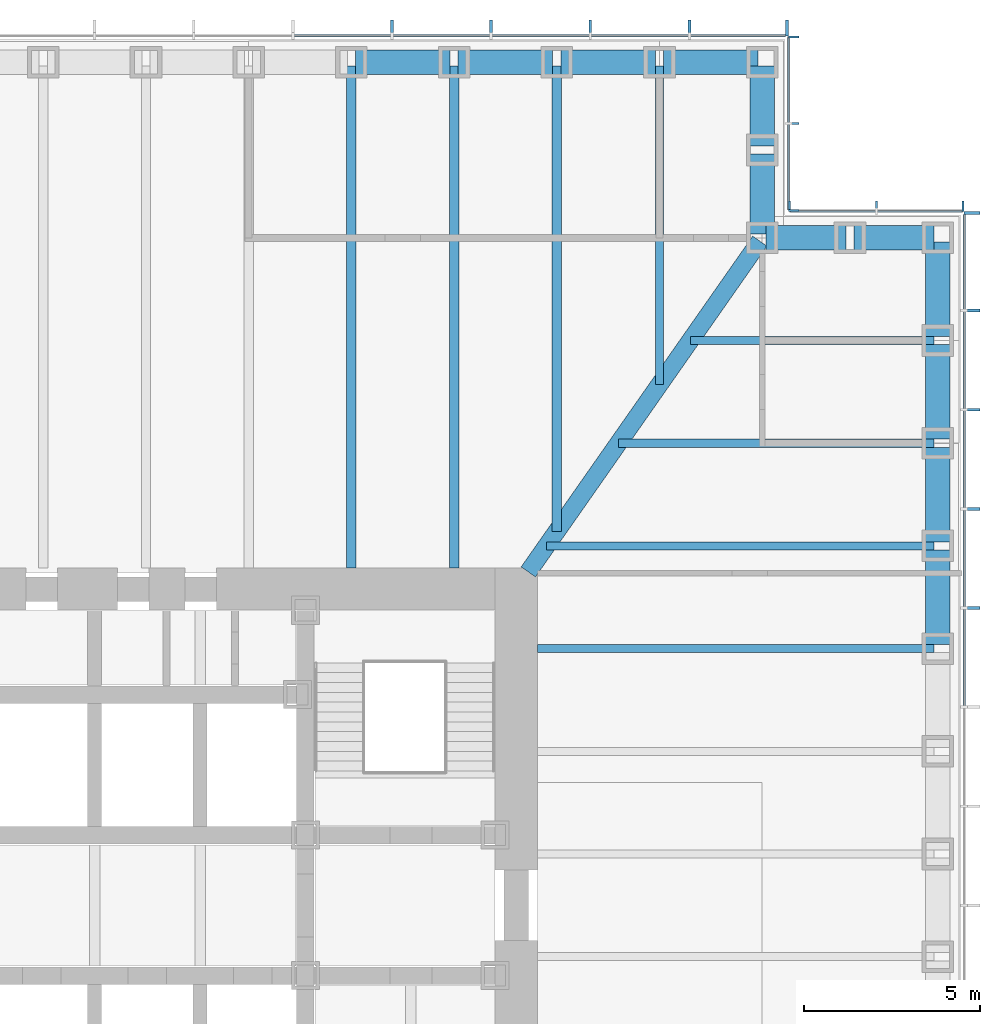
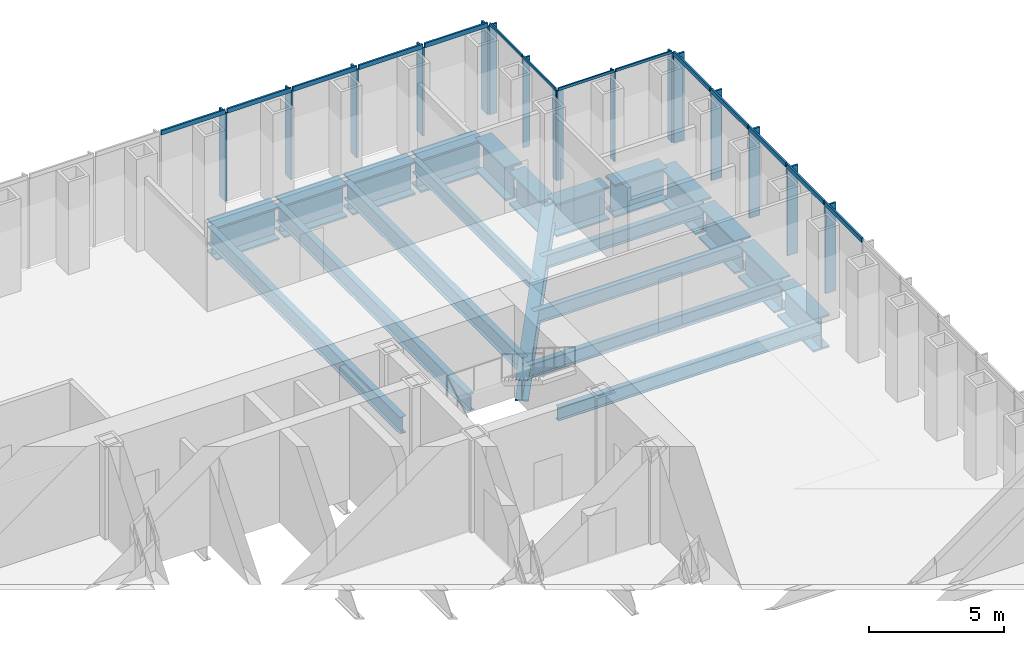
# One storey, part 6 of 17: 30 members, 21 beams, 4 elements without a shape of their own.
"""IFC4 building model written with IfcOpenShell, lengths in metres."""

from ifc_helpers import new_model, si_unit, direction, frame, origin, origin_2d, place, context, subcontext, project, spatial, rectangle, i_section, extrude, material, material_profile, profile_set, type_object, element, aggregate, save


model = new_model("IFC4")

# Units and contexts
model_context = context("Model", 3, precision=1e-05, world=origin(), true_north=direction((0.0, 1.0)))
body_context = subcontext(model_context, "Body", "Model", "MODEL_VIEW")
ifc_project = project(units=[si_unit("LENGTHUNIT", "METRE"), si_unit("AREAUNIT", "SQUARE_METRE"), si_unit("VOLUMEUNIT", "CUBIC_METRE"), si_unit("PLANEANGLEUNIT", "RADIAN"), si_unit("MASSUNIT", "GRAM", prefix="KILO")], contexts=[model_context])

# Site, building, storey
site_placement = place(None, origin())
site = spatial("IfcSite", under=ifc_project, at=site_placement, CompositionType="ELEMENT")
building_placement = place(site_placement, origin())
building = spatial("IfcBuilding", under=site, at=building_placement, Name="Daluyong Arena Tower", CompositionType="ELEMENT")
storey_placement = place(building_placement, frame((0.0, 0.0, 81.10009765625)))
storey = spatial("IfcBuildingStorey", under=building, at=storey_placement, Name="L17", CompositionType="ELEMENT", Elevation=81.10009765625)

# Curtain wall, members
ifc_material_1 = material(Name="Bronze anodised aluminium and glass", Category="aluminium")
curtain_wall_type_1 = type_object("IfcCurtainWallType", Name="Curtain wall CW1", PredefinedType="USERDEFINED", material=ifc_material_1)
curtain_wall_1_placement = place(storey_placement, origin())
curtain_wall_1 = element("IfcCurtainWall", 1, at=curtain_wall_1_placement, inside=storey, type_object=curtain_wall_type_1, Name="curtain wall L17 E", ObjectType="UNITISED CURTAIN WALL", PredefinedType="USERDEFINED")
ifc_material_2 = material(Name="Bronze anodised aluminium fin", Category="aluminium")
ifc_material_profile_1 = material_profile(ifc_material_2, rectangle(XDim=0.449951171875, YDim=0.080078125, at=origin_2d()))
ifc_profile_set_1 = profile_set([ifc_material_profile_1], Name="Bronze anodised aluminium fin")
member_type_1 = type_object("IfcMemberType", Name="CW1 bronze fin 450x80", PredefinedType="MULLION", material=ifc_profile_set_1)
member_1_placement = place(storey_placement, frame((80.97509765625, 88.46435546875, 0.0), z_axis=(0.0, 0.0, 1.0), x_axis=(-1.0, 0.0, 0.0)))
member_1 = element("IfcMember", 2, at=member_1_placement, type_object=member_type_1, Name="curtain wall L17 E fin 11", PredefinedType="MULLION", context=body_context, shape_type="SweptSolid", body=[
    extrude(rectangle(XDim=0.449951171875, YDim=0.080078125, at=origin_2d()), origin(), (0.0, 0.0, 1.0), 4.0),
])
member_2_placement = place(storey_placement, frame((80.97509765625, 91.28564453125, 0.0), z_axis=(0.0, 0.0, 1.0), x_axis=(-1.0, 0.0, 0.0)))
member_2 = element("IfcMember", 3, at=member_2_placement, type_object=member_type_1, Name="curtain wall L17 E fin 12", PredefinedType="MULLION", context=body_context, shape_type="SweptSolid", body=[
    extrude(rectangle(XDim=0.449951171875, YDim=0.080078125, at=origin_2d()), origin(), (0.0, 0.0, 1.0), 4.0),
])
member_3_placement = place(storey_placement, frame((80.97509765625, 94.107177734375, 0.0), z_axis=(0.0, 0.0, 1.0), x_axis=(-1.0, 0.0, 0.0)))
member_3 = element("IfcMember", 4, at=member_3_placement, type_object=member_type_1, Name="curtain wall L17 E fin 13", PredefinedType="MULLION", context=body_context, shape_type="SweptSolid", body=[
    extrude(rectangle(XDim=0.449951171875, YDim=0.080078125, at=origin_2d()), origin(), (0.0, 0.0, 1.0), 4.0),
])
member_4_placement = place(storey_placement, frame((80.97509765625, 96.928466796875, 0.0), z_axis=(0.0, 0.0, 1.0), x_axis=(-1.0, 0.0, 0.0)))
member_4 = element("IfcMember", 5, at=member_4_placement, type_object=member_type_1, Name="curtain wall L17 E fin 14", PredefinedType="MULLION", context=body_context, shape_type="SweptSolid", body=[
    extrude(rectangle(XDim=0.449951171875, YDim=0.080078125, at=origin_2d()), origin(), (0.0, 0.0, 1.0), 4.0),
])
member_5_placement = place(storey_placement, frame((80.97509765625, 99.7099609375, 0.0), z_axis=(0.0, 0.0, 1.0), x_axis=(-1.0, 0.0, 0.0)))
member_5 = element("IfcMember", 6, at=member_5_placement, type_object=member_type_1, Name="curtain wall L17 E fin 15", PredefinedType="MULLION", context=body_context, shape_type="SweptSolid", body=[
    extrude(rectangle(XDim=0.449951171875, YDim=0.080078125, at=origin_2d()), origin(), (0.0, 0.0, 1.0), 4.0),
])

curtain_wall_2_placement = place(storey_placement, origin())
curtain_wall_2 = element("IfcCurtainWall", 7, at=curtain_wall_2_placement, inside=storey, type_object=curtain_wall_type_1, Name="curtain wall L17 N", ObjectType="UNITISED CURTAIN WALL", PredefinedType="USERDEFINED")
member_6_placement = place(storey_placement, frame((75.7099609375, 104.97509765625, 0.0), z_axis=(0.0, 0.0, 1.0), x_axis=(0.0, -1.0, 0.0)))
member_6 = element("IfcMember", 8, at=member_6_placement, type_object=member_type_1, Name="curtain wall L17 N fin 1", PredefinedType="MULLION", context=body_context, shape_type="SweptSolid", body=[
    extrude(rectangle(XDim=0.449951171875, YDim=0.080078125, at=origin_2d()), origin(), (0.0, 0.0, 1.0), 4.0),
])
member_7_placement = place(storey_placement, frame((72.928466796875, 104.97509765625, 0.0), z_axis=(0.0, 0.0, 1.0), x_axis=(0.0, -1.0, 0.0)))
member_7 = element("IfcMember", 9, at=member_7_placement, type_object=member_type_1, Name="curtain wall L17 N fin 2", PredefinedType="MULLION", context=body_context, shape_type="SweptSolid", body=[
    extrude(rectangle(XDim=0.449951171875, YDim=0.080078125, at=origin_2d()), origin(), (0.0, 0.0, 1.0), 4.0),
])
member_8_placement = place(storey_placement, frame((70.107177734375, 104.97509765625, 0.0), z_axis=(0.0, 0.0, 1.0), x_axis=(0.0, -1.0, 0.0)))
member_8 = element("IfcMember", 10, at=member_8_placement, type_object=member_type_1, Name="curtain wall L17 N fin 3", PredefinedType="MULLION", context=body_context, shape_type="SweptSolid", body=[
    extrude(rectangle(XDim=0.449951171875, YDim=0.080078125, at=origin_2d()), origin(), (0.0, 0.0, 1.0), 4.0),
])
member_9_placement = place(storey_placement, frame((67.28564453125, 104.97509765625, 0.0), z_axis=(0.0, 0.0, 1.0), x_axis=(0.0, -1.0, 0.0)))
member_9 = element("IfcMember", 11, at=member_9_placement, type_object=member_type_1, Name="curtain wall L17 N fin 4", PredefinedType="MULLION", context=body_context, shape_type="SweptSolid", body=[
    extrude(rectangle(XDim=0.449951171875, YDim=0.080078125, at=origin_2d()), origin(), (0.0, 0.0, 1.0), 4.0),
])
member_10_placement = place(storey_placement, frame((64.46435546875, 104.97509765625, 0.0), z_axis=(0.0, 0.0, 1.0), x_axis=(0.0, -1.0, 0.0)))
member_10 = element("IfcMember", 12, at=member_10_placement, type_object=member_type_1, Name="curtain wall L17 N fin 5", PredefinedType="MULLION", context=body_context, shape_type="SweptSolid", body=[
    extrude(rectangle(XDim=0.449951171875, YDim=0.080078125, at=origin_2d()), origin(), (0.0, 0.0, 1.0), 4.0),
])

# Member
ifc_material_3 = material(Name="Bronze anodised aluminium", Category="aluminium")
ifc_material_profile_2 = material_profile(ifc_material_3, rectangle(XDim=0.080078125, YDim=0.199951171875, at=origin_2d()))
ifc_profile_set_2 = profile_set([ifc_material_profile_2], Name="Bronze anodised aluminium")
member_type_2 = type_object("IfcMemberType", Name="CW1 stack transom 200x80", PredefinedType="USERDEFINED", material=ifc_profile_set_2)
member_11_placement = place(storey_placement, frame((80.75, 85.682861328125, 4.099853515625), z_axis=(0.0, 1.0, 0.0), x_axis=(-1.0, 0.0, 0.0)))
member_11 = element("IfcMember", 13, at=member_11_placement, type_object=member_type_2, Name="curtain wall L17 E transom 10", ObjectType="TRANSOM", PredefinedType="USERDEFINED", context=body_context, shape_type="SweptSolid", body=[
    extrude(rectangle(XDim=0.080078125, YDim=0.199951171875, at=origin_2d()), origin(), (0.0, 0.0, 1.0), 2.741455078125),
])

member_12_placement = place(storey_placement, frame((80.75, 88.50439453125, 4.099853515625), z_axis=(0.0, 1.0, 0.0), x_axis=(-1.0, 0.0, 0.0)))
member_12 = element("IfcMember", 14, at=member_12_placement, type_object=member_type_2, Name="curtain wall L17 E transom 11", ObjectType="TRANSOM", PredefinedType="USERDEFINED", context=body_context, shape_type="SweptSolid", body=[
    extrude(rectangle(XDim=0.080078125, YDim=0.199951171875, at=origin_2d()), origin(), (0.0, 0.0, 1.0), 2.7412109375),
])

member_13_placement = place(storey_placement, frame((80.75, 91.32568359375, 4.099853515625), z_axis=(0.0, 1.0, 0.0), x_axis=(-1.0, 0.0, 0.0)))
member_13 = element("IfcMember", 15, at=member_13_placement, type_object=member_type_2, Name="curtain wall L17 E transom 12", ObjectType="TRANSOM", PredefinedType="USERDEFINED", context=body_context, shape_type="SweptSolid", body=[
    extrude(rectangle(XDim=0.080078125, YDim=0.199951171875, at=origin_2d()), origin(), (0.0, 0.0, 1.0), 2.741455078125),
])

member_14_placement = place(storey_placement, frame((80.75, 94.147216796875, 4.099853515625), z_axis=(0.0, 1.0, 0.0), x_axis=(-1.0, 0.0, 0.0)))
member_14 = element("IfcMember", 16, at=member_14_placement, type_object=member_type_2, Name="curtain wall L17 E transom 13", ObjectType="TRANSOM", PredefinedType="USERDEFINED", context=body_context, shape_type="SweptSolid", body=[
    extrude(rectangle(XDim=0.080078125, YDim=0.199951171875, at=origin_2d()), origin(), (0.0, 0.0, 1.0), 2.741455078125),
])

member_15_placement = place(storey_placement, frame((80.75, 96.968505859375, 4.099853515625), z_axis=(0.0, 1.0, 0.0), x_axis=(-1.0, 0.0, 0.0)))
member_15 = element("IfcMember", 17, at=member_15_placement, type_object=member_type_2, Name="curtain wall L17 E transom 14", ObjectType="TRANSOM", PredefinedType="USERDEFINED", context=body_context, shape_type="SweptSolid", body=[
    extrude(rectangle(XDim=0.080078125, YDim=0.199951171875, at=origin_2d()), origin(), (0.0, 0.0, 1.0), 2.701416015625),
])

aggregate(curtain_wall_1, [member_1, member_2, member_3, member_4, member_5, member_11, member_12, member_13, member_14, member_15])

member_16_placement = place(storey_placement, frame((75.669921875, 104.75, 4.099853515625), z_axis=(-1.0, 0.0, 0.0), x_axis=(0.0, -1.0, 0.0)))
member_16 = element("IfcMember", 18, at=member_16_placement, type_object=member_type_2, Name="curtain wall L17 N transom 1", ObjectType="TRANSOM", PredefinedType="USERDEFINED", context=body_context, shape_type="SweptSolid", body=[
    extrude(rectangle(XDim=0.080078125, YDim=0.199951171875, at=origin_2d()), origin(), (0.0, 0.0, 1.0), 2.701416015625),
])

member_17_placement = place(storey_placement, frame((72.888671875, 104.75, 4.099853515625), z_axis=(-1.0, 0.0, 0.0), x_axis=(0.0, -1.0, 0.0)))
member_17 = element("IfcMember", 19, at=member_17_placement, type_object=member_type_2, Name="curtain wall L17 N transom 2", ObjectType="TRANSOM", PredefinedType="USERDEFINED", context=body_context, shape_type="SweptSolid", body=[
    extrude(rectangle(XDim=0.080078125, YDim=0.199951171875, at=origin_2d()), origin(), (0.0, 0.0, 1.0), 2.741455078125),
])

member_18_placement = place(storey_placement, frame((70.067138671875, 104.75, 4.099853515625), z_axis=(-1.0, 0.0, 0.0), x_axis=(0.0, -1.0, 0.0)))
member_18 = element("IfcMember", 20, at=member_18_placement, type_object=member_type_2, Name="curtain wall L17 N transom 3", ObjectType="TRANSOM", PredefinedType="USERDEFINED", context=body_context, shape_type="SweptSolid", body=[
    extrude(rectangle(XDim=0.080078125, YDim=0.199951171875, at=origin_2d()), origin(), (0.0, 0.0, 1.0), 2.741455078125),
])

member_19_placement = place(storey_placement, frame((67.24560546875, 104.75, 4.099853515625), z_axis=(-1.0, 0.0, 0.0), x_axis=(0.0, -1.0, 0.0)))
member_19 = element("IfcMember", 21, at=member_19_placement, type_object=member_type_2, Name="curtain wall L17 N transom 4", ObjectType="TRANSOM", PredefinedType="USERDEFINED", context=body_context, shape_type="SweptSolid", body=[
    extrude(rectangle(XDim=0.080078125, YDim=0.199951171875, at=origin_2d()), origin(), (0.0, 0.0, 1.0), 2.7412109375),
])

member_20_placement = place(storey_placement, frame((64.42431640625, 104.75, 4.099853515625), z_axis=(-1.0, 0.0, 0.0), x_axis=(0.0, -1.0, 0.0)))
member_20 = element("IfcMember", 22, at=member_20_placement, type_object=member_type_2, Name="curtain wall L17 N transom 5", ObjectType="TRANSOM", PredefinedType="USERDEFINED", context=body_context, shape_type="SweptSolid", body=[
    extrude(rectangle(XDim=0.080078125, YDim=0.199951171875, at=origin_2d()), origin(), (0.0, 0.0, 1.0), 2.741455078125),
])

aggregate(curtain_wall_2, [member_6, member_7, member_8, member_9, member_10, member_16, member_17, member_18, member_19, member_20])

# Curtain wall, members
ifc_material_4 = material(Name="Bronze anodised aluminium and glass", Category="aluminium")
curtain_wall_type_2 = type_object("IfcCurtainWallType", Name="Curtain wall CW7", PredefinedType="USERDEFINED", material=ifc_material_4)
curtain_wall_3_placement = place(storey_placement, origin())
curtain_wall_3 = element("IfcCurtainWall", 23, at=curtain_wall_3_placement, inside=storey, type_object=curtain_wall_type_2, Name="curtain wall L17 NE-N", ObjectType="UNITISED CURTAIN WALL", PredefinedType="USERDEFINED")
ifc_material_5 = material(Name="Bronze anodised aluminium fin", Category="aluminium")
ifc_material_profile_3 = material_profile(ifc_material_5, rectangle(XDim=0.300048828125, YDim=0.06005859375, at=origin_2d()))
ifc_profile_set_3 = profile_set([ifc_material_profile_3], Name="Bronze anodised aluminium fin")
member_type_3 = type_object("IfcMemberType", Name="CW7 bronze fin 300x60", PredefinedType="MULLION", material=ifc_profile_set_3)
member_21_placement = place(storey_placement, frame((80.719970703125, 99.89990234375, 0.0), z_axis=(0.0, 0.0, 1.0), x_axis=(0.0, -1.0, 0.0)))
member_21 = element("IfcMember", 24, at=member_21_placement, type_object=member_type_3, Name="curtain wall L17 NE-N fin 1", PredefinedType="MULLION", context=body_context, shape_type="SweptSolid", body=[
    extrude(rectangle(XDim=0.300048828125, YDim=0.06005859375, at=origin_2d()), origin(), (0.0, 0.0, 1.0), 4.079833984375),
])
member_22_placement = place(storey_placement, frame((78.25, 99.89990234375, 0.0), z_axis=(0.0, 0.0, 1.0), x_axis=(0.0, -1.0, 0.0)))
member_22 = element("IfcMember", 25, at=member_22_placement, type_object=member_type_3, Name="curtain wall L17 NE-N fin 2", PredefinedType="MULLION", context=body_context, shape_type="SweptSolid", body=[
    extrude(rectangle(XDim=0.300048828125, YDim=0.06005859375, at=origin_2d()), origin(), (0.0, 0.0, 1.0), 4.079833984375),
])
member_23_placement = place(storey_placement, frame((75.780029296875, 99.89990234375, 0.0), z_axis=(0.0, 0.0, 1.0), x_axis=(0.0, -1.0, 0.0)))
member_23 = element("IfcMember", 26, at=member_23_placement, type_object=member_type_3, Name="curtain wall L17 NE-N fin 3", PredefinedType="MULLION", context=body_context, shape_type="SweptSolid", body=[
    extrude(rectangle(XDim=0.300048828125, YDim=0.06005859375, at=origin_2d()), origin(), (0.0, 0.0, 1.0), 4.079833984375),
])

curtain_wall_4_placement = place(storey_placement, origin())
curtain_wall_4 = element("IfcCurtainWall", 27, at=curtain_wall_4_placement, inside=storey, type_object=curtain_wall_type_2, Name="curtain wall L17 NE-E", ObjectType="UNITISED CURTAIN WALL", PredefinedType="USERDEFINED")
member_24_placement = place(storey_placement, frame((75.89990234375, 99.780029296875, 0.0), z_axis=(0.0, 0.0, 1.0), x_axis=(-1.0, 0.0, 0.0)))
member_24 = element("IfcMember", 28, at=member_24_placement, type_object=member_type_3, Name="curtain wall L17 NE-E fin 1", PredefinedType="MULLION", context=body_context, shape_type="SweptSolid", body=[
    extrude(rectangle(XDim=0.300048828125, YDim=0.06005859375, at=origin_2d()), origin(), (0.0, 0.0, 1.0), 4.079833984375),
])
member_25_placement = place(storey_placement, frame((75.89990234375, 102.25, 0.0), z_axis=(0.0, 0.0, 1.0), x_axis=(-1.0, 0.0, 0.0)))
member_25 = element("IfcMember", 29, at=member_25_placement, type_object=member_type_3, Name="curtain wall L17 NE-E fin 2", PredefinedType="MULLION", context=body_context, shape_type="SweptSolid", body=[
    extrude(rectangle(XDim=0.300048828125, YDim=0.06005859375, at=origin_2d()), origin(), (0.0, 0.0, 1.0), 4.079833984375),
])
member_26_placement = place(storey_placement, frame((75.89990234375, 104.719970703125, 0.0), z_axis=(0.0, 0.0, 1.0), x_axis=(-1.0, 0.0, 0.0)))
member_26 = element("IfcMember", 30, at=member_26_placement, type_object=member_type_3, Name="curtain wall L17 NE-E fin 3", PredefinedType="MULLION", context=body_context, shape_type="SweptSolid", body=[
    extrude(rectangle(XDim=0.300048828125, YDim=0.06005859375, at=origin_2d()), origin(), (0.0, 0.0, 1.0), 4.079833984375),
])

# Member
ifc_material_6 = material(Name="Bronze anodised aluminium", Category="aluminium")
ifc_material_profile_4 = material_profile(ifc_material_6, rectangle(XDim=0.06005859375, YDim=0.1201171875, at=origin_2d()))
ifc_profile_set_4 = profile_set([ifc_material_profile_4], Name="Bronze anodised aluminium")
member_type_4 = type_object("IfcMemberType", Name="CW7 stack transom 120x60", PredefinedType="USERDEFINED", material=ifc_profile_set_4)
member_27_placement = place(storey_placement, frame((80.68994140625, 99.75, 4.139892578125), z_axis=(-1.0, 0.0, 0.0), x_axis=(0.0, -1.0, 0.0)))
member_27 = element("IfcMember", 31, at=member_27_placement, type_object=member_type_4, Name="curtain wall L17 NE-N transom 1", ObjectType="TRANSOM", PredefinedType="USERDEFINED", context=body_context, shape_type="SweptSolid", body=[
    extrude(rectangle(XDim=0.06005859375, YDim=0.1201171875, at=origin_2d()), origin(), (0.0, 0.0, 1.0), 2.409912109375),
])

member_28_placement = place(storey_placement, frame((78.219970703125, 99.75, 4.139892578125), z_axis=(-1.0, 0.0, 0.0), x_axis=(0.0, -1.0, 0.0)))
member_28 = element("IfcMember", 32, at=member_28_placement, type_object=member_type_4, Name="curtain wall L17 NE-N transom 2", ObjectType="TRANSOM", PredefinedType="USERDEFINED", context=body_context, shape_type="SweptSolid", body=[
    extrude(rectangle(XDim=0.06005859375, YDim=0.1201171875, at=origin_2d()), origin(), (0.0, 0.0, 1.0), 2.409912109375),
])

aggregate(curtain_wall_3, [member_21, member_22, member_23, member_27, member_28])

member_29_placement = place(storey_placement, frame((75.75, 99.81005859375, 4.139892578125), z_axis=(0.0, 1.0, 0.0), x_axis=(-1.0, 0.0, 0.0)))
member_29 = element("IfcMember", 33, at=member_29_placement, type_object=member_type_4, Name="curtain wall L17 NE-E transom 1", ObjectType="TRANSOM", PredefinedType="USERDEFINED", context=body_context, shape_type="SweptSolid", body=[
    extrude(rectangle(XDim=0.06005859375, YDim=0.1201171875, at=origin_2d()), origin(), (0.0, 0.0, 1.0), 2.409912109375),
])

member_30_placement = place(storey_placement, frame((75.75, 102.280029296875, 4.139892578125), z_axis=(0.0, 1.0, 0.0), x_axis=(-1.0, 0.0, 0.0)))
member_30 = element("IfcMember", 34, at=member_30_placement, type_object=member_type_4, Name="curtain wall L17 NE-E transom 2", ObjectType="TRANSOM", PredefinedType="USERDEFINED", context=body_context, shape_type="SweptSolid", body=[
    extrude(rectangle(XDim=0.06005859375, YDim=0.1201171875, at=origin_2d()), origin(), (0.0, 0.0, 1.0), 2.409912109375),
])

aggregate(curtain_wall_4, [member_24, member_25, member_26, member_29, member_30])

# Beams
ifc_material_7 = material(Name="Steel ASTM A572 Grade 50", Category="steel")
ifc_material_profile_5 = material_profile(ifc_material_7, i_section(OverallWidth=0.5, OverallDepth=1.0, WebThickness=0.03, FlangeThickness=0.06, at=origin_2d()))
ifc_profile_set_5 = profile_set([ifc_material_profile_5], Name="Steel ASTM A572 Grade 50")
beam_type_1 = type_object("IfcBeamType", Name="Corner girder TB1000X500", PredefinedType="BEAM", material=ifc_profile_set_5)
beam_1_placement = place(storey_placement, frame((74.93408203125, 98.90576171875, -0.66015625), z_axis=(-0.573466621875, -0.819228926244, 0.0), x_axis=(0.819228926244, -0.573466621875, 0.0)))
element("IfcBeam", 35, at=beam_1_placement, inside=storey, type_object=beam_type_1, Name="corner girder DG2", PredefinedType="BEAM", context=body_context, shape_type="SweptSolid", body=[
    extrude(i_section(OverallWidth=0.5, OverallDepth=1.0, WebThickness=0.03, FlangeThickness=0.06, at=origin_2d()), origin(), (0.0, 0.0, 1.0), 11.49169921875),
])
ifc_material_8 = material(Name="Steel ASTM A992 Grade 50", Category="steel")
ifc_material_profile_6 = material_profile(ifc_material_8, i_section(OverallWidth=0.22900390625, OverallDepth=0.612060546875, WebThickness=0.011962890625, FlangeThickness=0.01953125, at=origin_2d()))
ifc_profile_set_6 = profile_set([ifc_material_profile_6], Name="Steel ASTM A992 Grade 50")
beam_type_2 = type_object("IfcBeamType", Name="Floor beam W24X84", PredefinedType="BEAM", material=ifc_profile_set_6)
beam_2_placement = place(storey_placement, frame((79.885009765625, 87.3076171875, -0.466064453125), z_axis=(-1.0, 0.0, 0.0), x_axis=(0.0, -1.0, 0.0)))
element("IfcBeam", 36, at=beam_2_placement, inside=storey, type_object=beam_type_2, Name="floor beam FB3", PredefinedType="BEAM", context=body_context, shape_type="SweptSolid", body=[
    extrude(i_section(OverallWidth=0.22900390625, OverallDepth=0.612060546875, WebThickness=0.011962890625, FlangeThickness=0.01953125, at=origin_2d()), origin(), (0.0, 0.0, 1.0), 11.284912109375),
])
beam_3_placement = place(storey_placement, frame((79.885009765625, 90.230712890625, -0.466064453125), z_axis=(-1.0, 0.0, 0.0), x_axis=(0.0, -1.0, 0.0)))
element("IfcBeam", 37, at=beam_3_placement, inside=storey, type_object=beam_type_2, Name="floor beam FB3", PredefinedType="BEAM", context=body_context, shape_type="SweptSolid", body=[
    extrude(i_section(OverallWidth=0.22900390625, OverallDepth=0.612060546875, WebThickness=0.011962890625, FlangeThickness=0.01953125, at=origin_2d()), origin(), (0.0, 0.0, 1.0), 11.0234375),
])
beam_4_placement = place(storey_placement, frame((79.885009765625, 93.15380859375, -0.466064453125), z_axis=(-1.0, 0.0, 0.0), x_axis=(0.0, -1.0, 0.0)))
element("IfcBeam", 38, at=beam_4_placement, inside=storey, type_object=beam_type_2, Name="floor beam FB3", PredefinedType="BEAM", context=body_context, shape_type="SweptSolid", body=[
    extrude(i_section(OverallWidth=0.22900390625, OverallDepth=0.612060546875, WebThickness=0.011962890625, FlangeThickness=0.01953125, at=origin_2d()), origin(), (0.0, 0.0, 1.0), 8.977294921875),
])
beam_5_placement = place(storey_placement, frame((79.885009765625, 96.076904296875, -0.466064453125), z_axis=(-1.0, 0.0, 0.0), x_axis=(0.0, -1.0, 0.0)))
element("IfcBeam", 39, at=beam_5_placement, inside=storey, type_object=beam_type_2, Name="floor beam FB3", PredefinedType="BEAM", context=body_context, shape_type="SweptSolid", body=[
    extrude(i_section(OverallWidth=0.22900390625, OverallDepth=0.612060546875, WebThickness=0.011962890625, FlangeThickness=0.01953125, at=origin_2d()), origin(), (0.0, 0.0, 1.0), 6.93115234375),
])
beam_6_placement = place(storey_placement, frame((72.076904296875, 103.885009765625, -0.466064453125), z_axis=(0.0, -1.0, 0.0), x_axis=(1.0, 0.0, 0.0)))
element("IfcBeam", 40, at=beam_6_placement, inside=storey, type_object=beam_type_2, Name="floor beam FB3", PredefinedType="BEAM", context=body_context, shape_type="SweptSolid", body=[
    extrude(i_section(OverallWidth=0.22900390625, OverallDepth=0.612060546875, WebThickness=0.011962890625, FlangeThickness=0.01953125, at=origin_2d()), origin(), (0.0, 0.0, 1.0), 9.060791015625),
])
ifc_material_9 = material(Name="Steel ASTM A992 Grade 50", Category="steel")
ifc_material_profile_7 = material_profile(ifc_material_9, i_section(OverallWidth=0.2666015625, OverallDepth=0.761962890625, WebThickness=0.014404296875, FlangeThickness=0.021484375, at=origin_2d()))
ifc_profile_set_7 = profile_set([ifc_material_profile_7], Name="Steel ASTM A992 Grade 50")
beam_type_3 = type_object("IfcBeamType", Name="Floor beam W30X116", PredefinedType="BEAM", material=ifc_profile_set_7)
beam_7_placement = place(storey_placement, frame((69.15380859375, 103.885009765625, -0.541015625), z_axis=(0.0, -1.0, 0.0), x_axis=(1.0, 0.0, 0.0)))
element("IfcBeam", 41, at=beam_7_placement, inside=storey, type_object=beam_type_3, Name="floor beam FB4", PredefinedType="BEAM", context=body_context, shape_type="SweptSolid", body=[
    extrude(i_section(OverallWidth=0.2666015625, OverallDepth=0.761962890625, WebThickness=0.014404296875, FlangeThickness=0.021484375, at=origin_2d()), origin(), (0.0, 0.0, 1.0), 13.236572265625),
])
for number, where, z_axis, x_axis, name in (
    (42, (66.230712890625, 103.885009765625, -0.541015625), (0.0, -1.0, 0.0), (1.0, 0.0, 0.0), "floor beam FB4"),
    (43, (63.3076171875, 103.885009765625, -0.541015625), (0.0, -1.0, 0.0), (1.0, 0.0, 0.0), "floor beam FB4"),
):
    element("IfcBeam", number, at=place(storey_placement, frame(where, z_axis=z_axis, x_axis=x_axis)), inside=storey, type_object=beam_type_3, Name=name, PredefinedType="BEAM", context=body_context, shape_type="SweptSolid", body=[
        extrude(i_section(OverallWidth=0.2666015625, OverallDepth=0.761962890625, WebThickness=0.014404296875, FlangeThickness=0.021484375, at=origin_2d()), origin(), (0.0, 0.0, 1.0), 14.284912109375),
    ])
ifc_material_10 = material(Name="Steel ASTM A572 Grade 50", Category="steel")
ifc_material_profile_8 = material_profile(ifc_material_10, i_section(OverallWidth=0.699951171875, OverallDepth=1.5, WebThickness=0.04, FlangeThickness=0.08, at=origin_2d()))
ifc_profile_set_8 = profile_set([ifc_material_profile_8], Name="Steel ASTM A572 Grade 50")
beam_type_4 = type_object("IfcBeamType", Name="Spandrel Z1 PG1500X700", PredefinedType="SPANDREL", material=ifc_profile_set_8)
for number, where, z_axis, x_axis, name in (
    (44, (80.0, 87.422607421875, -0.91015625), (0.0, 1.0, 0.0), (-1.0, 0.0, 0.0), "spandrel z1 SB4"),
    (45, (80.0, 90.345703125, -0.91015625), (0.0, 1.0, 0.0), (-1.0, 0.0, 0.0), "spandrel z1 SB4"),
    (46, (80.0, 93.268798828125, -0.91015625), (0.0, 1.0, 0.0), (-1.0, 0.0, 0.0), "spandrel z1 SB4"),
    (47, (80.0, 96.19189453125, -0.91015625), (0.0, 1.0, 0.0), (-1.0, 0.0, 0.0), "spandrel z1 SB4"),
):
    element("IfcBeam", number, at=place(storey_placement, frame(where, z_axis=z_axis, x_axis=x_axis)), inside=storey, type_object=beam_type_4, Name=name, PredefinedType="SPANDREL", context=body_context, shape_type="SweptSolid", body=[
        extrude(i_section(OverallWidth=0.699951171875, OverallDepth=1.5, WebThickness=0.04, FlangeThickness=0.08, at=origin_2d()), origin(), (0.0, 0.0, 1.0), 2.693115234375),
    ])
for number, where, z_axis, x_axis, name in (
    (48, (79.885009765625, 99.0, -0.91015625), (-1.0, 0.0, 0.0), (0.0, -1.0, 0.0), "spandrel z1 SB4"),
    (49, (77.385009765625, 99.0, -0.91015625), (-1.0, 0.0, 0.0), (0.0, -1.0, 0.0), "spandrel z1 SB4"),
    (50, (75.0, 99.114990234375, -0.91015625), (0.0, 1.0, 0.0), (-1.0, 0.0, 0.0), "spandrel z1 SB4"),
    (51, (75.0, 101.614990234375, -0.91015625), (0.0, 1.0, 0.0), (-1.0, 0.0, 0.0), "spandrel z1 SB4"),
):
    element("IfcBeam", number, at=place(storey_placement, frame(where, z_axis=z_axis, x_axis=x_axis)), inside=storey, type_object=beam_type_4, Name=name, PredefinedType="SPANDREL", context=body_context, shape_type="SweptSolid", body=[
        extrude(i_section(OverallWidth=0.699951171875, OverallDepth=1.5, WebThickness=0.04, FlangeThickness=0.08, at=origin_2d()), origin(), (0.0, 0.0, 1.0), 2.27001953125),
    ])
for number, where, z_axis, x_axis, name in (
    (52, (74.885009765625, 104.0, -0.91015625), (-1.0, 0.0, 0.0), (0.0, -1.0, 0.0), "spandrel z1 SB4"),
    (53, (71.9619140625, 104.0, -0.91015625), (-1.0, 0.0, 0.0), (0.0, -1.0, 0.0), "spandrel z1 SB4"),
    (54, (69.038818359375, 104.0, -0.91015625), (-1.0, 0.0, 0.0), (0.0, -1.0, 0.0), "spandrel z1 SB4"),
    (55, (66.11572265625, 104.0, -0.91015625), (-1.0, 0.0, 0.0), (0.0, -1.0, 0.0), "spandrel z1 SB4"),
):
    element("IfcBeam", number, at=place(storey_placement, frame(where, z_axis=z_axis, x_axis=x_axis)), inside=storey, type_object=beam_type_4, Name=name, PredefinedType="SPANDREL", context=body_context, shape_type="SweptSolid", body=[
        extrude(i_section(OverallWidth=0.699951171875, OverallDepth=1.5, WebThickness=0.04, FlangeThickness=0.08, at=origin_2d()), origin(), (0.0, 0.0, 1.0), 2.693115234375),
    ])

save(model, "model.ifc")
